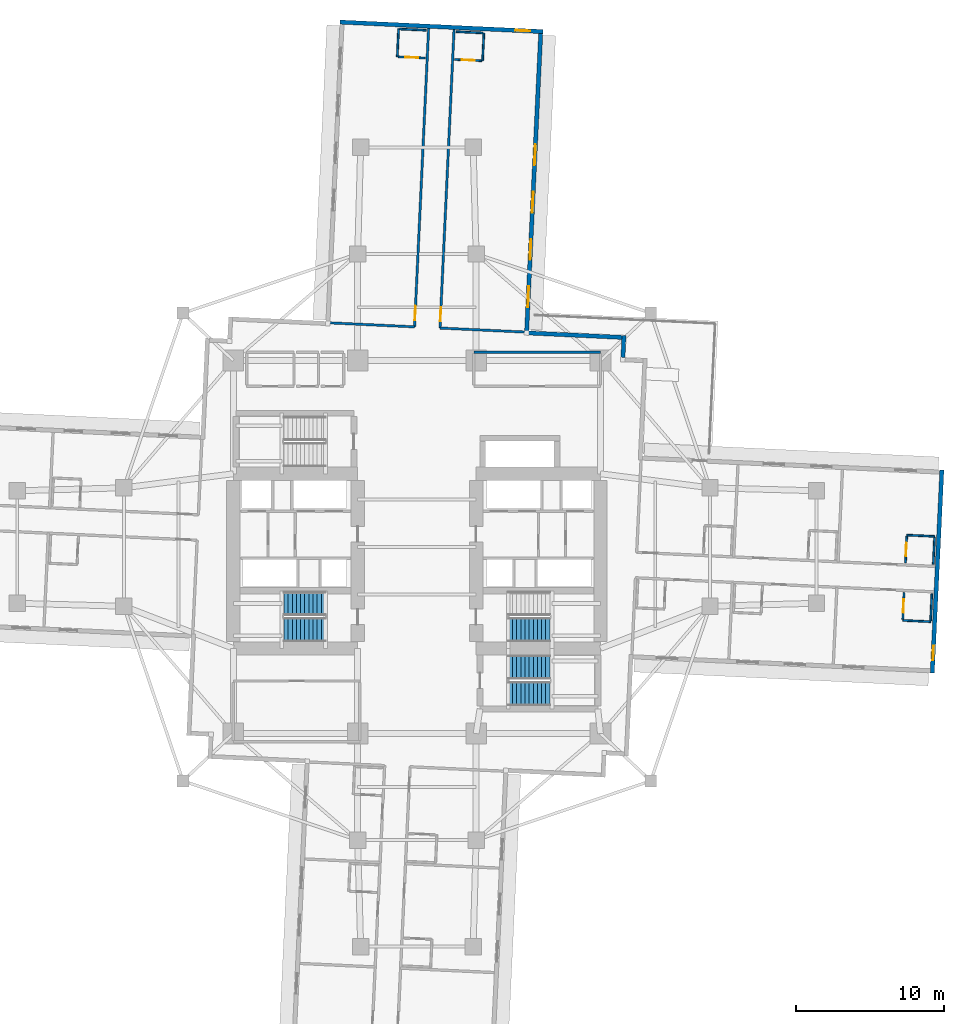
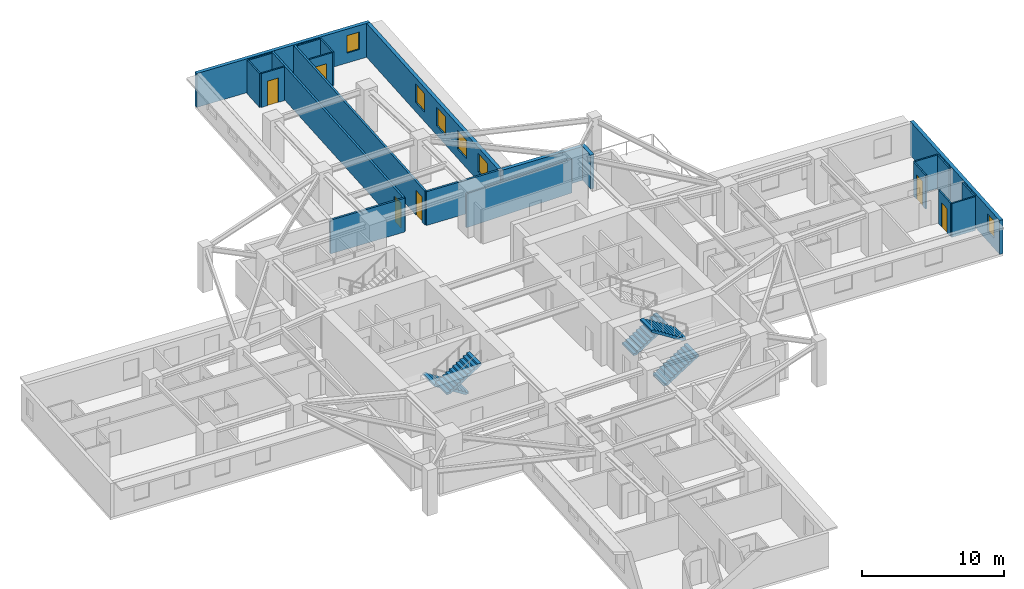
# One storey, part 8 of 14: 22 walls, 6 doors, 6 windows, 5 stair flights, 12 openings, 3 elements without a shape of their own.
"""IFC4 building model written with IfcOpenShell, lengths in metres."""

from ifc_helpers import new_model, si_unit, direction, frame, frame_2d, origin, place, context, subcontext, project, spatial, polyline, rectangle, outline, extrude, material, layer, layer_set, type_object, element, fill, aggregate, save


model = new_model("IFC4")

# Units and contexts
model_context = context("Model", 3, precision=1e-05, world=origin(), true_north=direction((0.0, 1.0)))
body_context = subcontext(model_context, "Body", "Model", "MODEL_VIEW")
ifc_project = project(units=[si_unit("LENGTHUNIT", "METRE"), si_unit("AREAUNIT", "SQUARE_METRE"), si_unit("VOLUMEUNIT", "CUBIC_METRE"), si_unit("PLANEANGLEUNIT", "RADIAN"), si_unit("MASSUNIT", "GRAM", prefix="KILO")], contexts=[model_context])

# Site, building, storey
site_placement = place(None, origin())
site = spatial("IfcSite", under=ifc_project, at=site_placement, CompositionType="ELEMENT")
building_placement = place(site_placement, origin())
building = spatial("IfcBuilding", under=site, at=building_placement, Name="Qingluan Cross Belvedere", CompositionType="ELEMENT")
storey_placement = place(building_placement, frame((0.0, 0.0, 75.60009765625)))
storey = spatial("IfcBuildingStorey", under=building, at=storey_placement, Name="L19", CompositionType="ELEMENT", Elevation=75.60009765625)

# Wall
ifc_material_1 = material(Name="Gypsum plasterboard on steel stud acoustic partition", Category="steel")
ifc_layer_1 = layer(ifc_material_1, 0.159912109375, Name="CorridorPartition_160")
ifc_layer_set_1 = layer_set([ifc_layer_1], Name="Gypsum plasterboard on steel stud acoustic partition")
wall_type_1 = type_object("IfcWallType", Name="CorridorPartition_160", PredefinedType="PARTITIONING", material=ifc_layer_set_1)
wall_1_placement = place(storey_placement, frame((3.85009765625, 13.14990234375, 0.0), z_axis=(0.0, 0.0, 1.0), x_axis=(1.0, 0.0, 0.0)))
element("IfcWall", 1, at=wall_1_placement, inside=storey, type_object=wall_type_1, Name="Partition L19:q_ne:N", PredefinedType="PARTITIONING", context=body_context, shape_type="SweptSolid", body=[
    extrude(rectangle(XDim=8.5498046875, YDim=0.159912109375, at=frame_2d((4.27490234375, 0.0))), origin(), (0.0, 0.0, 1.0), 2.89990234375),
])

# Wall, opening, door
wall_2_placement = place(storey_placement, frame((1.55859375, 14.79296875, 0.0), z_axis=(0.0, 0.0, 1.0), x_axis=(0.047105352469, 0.998889926753, 0.0)))
wall_2 = element("IfcWall", 2, at=wall_2_placement, inside=storey, type_object=wall_type_1, Name="Partition L19:N:c0", PredefinedType="PARTITIONING", context=body_context, shape_type="SweptSolid", body=[
    extrude(rectangle(XDim=20.18212890625, YDim=0.159912109375, at=frame_2d((10.091064453125, 0.0))), origin(), (0.0, 0.0, 1.0), 2.89990234375),
])
opening_1_placement = place(wall_2_placement, frame((0.449951171875, 0.0, 0.0)))
opening_1 = element("IfcOpeningElement", 3, at=opening_1_placement, cuts=wall_2, Name="Opening GD-10", PredefinedType="OPENING", context=body_context, shape_type="SweptSolid", body=[
    extrude(rectangle(XDim=0.9599609375, YDim=2.14990234375, at=frame_2d((0.47998046875, 1.074951171875))), frame((0.0, 0.08984375, 0.0), z_axis=(0.0, -1.0, 0.0), x_axis=(1.0, 0.0, 0.0)), (0.0, 0.0, 1.0), 0.179931640625),
])
ifc_material_2 = material(Name="Timber oak fire-rated acoustic guestroom door", Category="wood")
door_type_1 = type_object("IfcDoorType", Name="GuestEntryDoor_FD60", OperationType="NOTDEFINED", PredefinedType="DOOR", material=ifc_material_2)
door_1_placement = place(opening_1_placement, origin())
door_1 = element("IfcDoor", 4, at=door_1_placement, inside=storey, type_object=door_type_1, Name="Guest entry fire door 1911", OperationType="SINGLE_SWING_LEFT", OverallHeight=2.14990234375, OverallWidth=0.9599609375, PredefinedType="DOOR", context=body_context, shape_type="SweptSolid", body=[
    extrude(rectangle(XDim=0.9599609375, YDim=2.14990234375, at=frame_2d((0.47998046875, 1.074951171875))), frame((0.0, 0.02490234375, 0.0), z_axis=(0.0, -1.0, 0.0), x_axis=(1.0, 0.0, 0.0)), (0.0, 0.0, 1.0), 0.050048828125),
])
fill(opening_1, door_1)

# Wall
wall_3_placement = place(storey_placement, frame((1.55859375, 14.79296875, 0.0), z_axis=(0.0, 0.0, 1.0), x_axis=(0.998891206556, -0.047078205848, 0.0)))
element("IfcWall", 5, at=wall_3_placement, inside=storey, type_object=wall_type_1, Name="Partition L19:N:s0", PredefinedType="PARTITIONING", context=body_context, shape_type="SweptSolid", body=[
    extrude(rectangle(XDim=5.860107421875, YDim=0.159912109375, at=frame_2d((2.93017578125, 0.0))), origin(), (0.0, 0.0, 1.0), 2.89990234375),
])

# Wall, opening, door
wall_4_placement = place(storey_placement, frame((-0.159423828125, 14.8740234375, 0.0), z_axis=(0.0, 0.0, 1.0), x_axis=(0.047105352469, 0.998889926753, 0.0)))
wall_4 = element("IfcWall", 6, at=wall_4_placement, inside=storey, type_object=wall_type_1, Name="Partition L19:N:c1", PredefinedType="PARTITIONING", context=body_context, shape_type="SweptSolid", body=[
    extrude(rectangle(XDim=20.18212890625, YDim=0.159912109375, at=frame_2d((10.091064453125, 0.0))), origin(), (0.0, 0.0, 1.0), 2.89990234375),
])
opening_2_placement = place(wall_4_placement, frame((0.449951171875, 0.0, 0.0)))
opening_2 = element("IfcOpeningElement", 7, at=opening_2_placement, cuts=wall_4, Name="Opening GD-10", PredefinedType="OPENING", context=body_context, shape_type="SweptSolid", body=[
    extrude(rectangle(XDim=0.9599609375, YDim=2.14990234375, at=frame_2d((0.47998046875, 1.074951171875))), frame((0.0, 0.08984375, 0.0), z_axis=(0.0, -1.0, 0.0), x_axis=(1.0, 0.0, 0.0)), (0.0, 0.0, 1.0), 0.179931640625),
])
door_2_placement = place(opening_2_placement, origin())
door_2 = element("IfcDoor", 8, at=door_2_placement, inside=storey, type_object=door_type_1, Name="Guest entry fire door 1912", OperationType="SINGLE_SWING_LEFT", OverallHeight=2.14990234375, OverallWidth=0.9599609375, PredefinedType="DOOR", context=body_context, shape_type="SweptSolid", body=[
    extrude(rectangle(XDim=0.9599609375, YDim=2.14990234375, at=frame_2d((0.47998046875, 1.074951171875))), frame((0.0, 0.02490234375, 0.0), z_axis=(0.0, -1.0, 0.0), x_axis=(1.0, 0.0, 0.0)), (0.0, 0.0, 1.0), 0.050048828125),
])
fill(opening_2, door_2)

# Wall
wall_5_placement = place(storey_placement, frame((-0.159423828125, 14.8740234375, 0.0), z_axis=(0.0, 0.0, 1.0), x_axis=(-0.998889246491, 0.047119775516, 0.0)))
element("IfcWall", 9, at=wall_5_placement, inside=storey, type_object=wall_type_1, Name="Partition L19:N:s1", PredefinedType="PARTITIONING", context=body_context, shape_type="SweptSolid", body=[
    extrude(rectangle(XDim=5.860107421875, YDim=0.159912109375, at=frame_2d((2.93017578125, 0.0))), origin(), (0.0, 0.0, 1.0), 2.89990234375),
])

# Wall, opening, door
ifc_material_3 = material(Name="Moisture-resistant gypsum board lining")
ifc_layer_2 = layer(ifc_material_3, 0.1201171875, Name="EnsuiteWetPartition_120")
ifc_layer_set_2 = layer_set([ifc_layer_2], Name="Moisture-resistant gypsum board lining")
wall_type_2 = type_object("IfcWallType", Name="EnsuiteWetPartition_120", PredefinedType="PARTITIONING", material=ifc_layer_set_2)
wall_6_placement = place(storey_placement, frame((33.006103515625, -1.075927734375, 0.0), z_axis=(0.0, 0.0, 1.0), x_axis=(0.047087116047, 0.998890786574, 0.0)))
wall_6 = element("IfcWall", 10, at=wall_6_placement, inside=storey, type_object=wall_type_2, Name="Partition L19:E:bs0_2", PredefinedType="PARTITIONING", context=body_context, shape_type="SweptSolid", body=[
    extrude(rectangle(XDim=1.81982421875, YDim=0.1201171875, at=frame_2d((0.909912109375, 0.0))), origin(), (0.0, 0.0, 1.0), 2.89990234375),
])
opening_3_placement = place(wall_6_placement, frame((0.469970703125, 0.0, 0.0)))
opening_3 = element("IfcOpeningElement", 11, at=opening_3_placement, cuts=wall_6, Name="Opening BD-09", PredefinedType="OPENING", context=body_context, shape_type="SweptSolid", body=[
    extrude(rectangle(XDim=0.8798828125, YDim=2.10009765625, at=frame_2d((0.43994140625, 1.050048828125))), frame((0.0, 0.070068359375, 0.0), z_axis=(0.0, -1.0, 0.0), x_axis=(1.0, 0.0, 0.0)), (0.0, 0.0, 1.0), 0.14013671875),
])
ifc_material_4 = material(Name="Moisture-sealed timber en-suite door", Category="wood")
door_type_2 = type_object("IfcDoorType", Name="BathroomDoor_880", OperationType="NOTDEFINED", PredefinedType="DOOR", material=ifc_material_4)
door_3_placement = place(opening_3_placement, origin())
door_3 = element("IfcDoor", 12, at=door_3_placement, inside=storey, type_object=door_type_2, Name="Bathroom door 1903", OperationType="SINGLE_SWING_RIGHT", OverallHeight=2.10009765625, OverallWidth=0.8798828125, PredefinedType="DOOR", context=body_context, shape_type="SweptSolid", body=[
    extrude(rectangle(XDim=0.8798828125, YDim=2.10009765625, at=frame_2d((0.43994140625, 1.050048828125))), frame((0.0, 0.02490234375, 0.0), z_axis=(0.0, -1.0, 0.0), x_axis=(1.0, 0.0, 0.0)), (0.0, 0.0, 1.0), 0.050048828125),
])
fill(opening_3, door_3)

# Walls
wall_7_placement = place(storey_placement, frame((34.8837890625, -1.16455078125, 0.0), z_axis=(0.0, 0.0, 1.0), x_axis=(0.047087116047, 0.998890786574, 0.0)))
element("IfcWall", 13, at=wall_7_placement, inside=storey, type_object=wall_type_2, Name="Partition L19:E:bw0_2", PredefinedType="PARTITIONING", context=body_context, shape_type="SweptSolid", body=[
    extrude(rectangle(XDim=1.81982421875, YDim=0.1201171875, at=frame_2d((0.909912109375, 0.0))), origin(), (0.0, 0.0, 1.0), 2.89990234375),
])
wall_8_placement = place(storey_placement, frame((33.0947265625, 0.806884765625, 0.0), z_axis=(0.0, 0.0, 1.0), x_axis=(0.998894425757, -0.04700985207, 0.0)))
element("IfcWall", 14, at=wall_8_placement, inside=storey, type_object=wall_type_2, Name="Partition L19:E:bn0_2", PredefinedType="PARTITIONING", context=body_context, shape_type="SweptSolid", body=[
    extrude(rectangle(XDim=1.880126953125, YDim=0.1201171875, at=frame_2d((0.93994140625, 0.0))), origin(), (0.0, 0.0, 1.0), 2.89990234375),
])

# Wall, opening, door
wall_9_placement = place(storey_placement, frame((32.825927734375, -4.8916015625, 0.0), z_axis=(0.0, 0.0, 1.0), x_axis=(0.047087116047, 0.998890786574, 0.0)))
wall_9 = element("IfcWall", 15, at=wall_9_placement, inside=storey, type_object=wall_type_2, Name="Partition L19:E:bs1_2", PredefinedType="PARTITIONING", context=body_context, shape_type="SweptSolid", body=[
    extrude(rectangle(XDim=1.81982421875, YDim=0.1201171875, at=frame_2d((0.909912109375, 0.0))), origin(), (0.0, 0.0, 1.0), 2.89990234375),
])
opening_4_placement = place(wall_9_placement, frame((0.469970703125, 0.0, 0.0)))
opening_4 = element("IfcOpeningElement", 16, at=opening_4_placement, cuts=wall_9, Name="Opening BD-09", PredefinedType="OPENING", context=body_context, shape_type="SweptSolid", body=[
    extrude(rectangle(XDim=0.8798828125, YDim=2.10009765625, at=frame_2d((0.43994140625, 1.050048828125))), frame((0.0, 0.070068359375, 0.0), z_axis=(0.0, -1.0, 0.0), x_axis=(1.0, 0.0, 0.0)), (0.0, 0.0, 1.0), 0.14013671875),
])
door_4_placement = place(opening_4_placement, origin())
door_4 = element("IfcDoor", 17, at=door_4_placement, inside=storey, type_object=door_type_2, Name="Bathroom door 1906", OperationType="SINGLE_SWING_RIGHT", OverallHeight=2.10009765625, OverallWidth=0.8798828125, PredefinedType="DOOR", context=body_context, shape_type="SweptSolid", body=[
    extrude(rectangle(XDim=0.8798828125, YDim=2.10009765625, at=frame_2d((0.43994140625, 1.050048828125))), frame((0.0, 0.02490234375, 0.0), z_axis=(0.0, -1.0, 0.0), x_axis=(1.0, 0.0, 0.0)), (0.0, 0.0, 1.0), 0.050048828125),
])
fill(opening_4, door_4)

# Walls
wall_10_placement = place(storey_placement, frame((34.703857421875, -4.980224609375, 0.0), z_axis=(0.0, 0.0, 1.0), x_axis=(0.047220968666, 0.998884467853, 0.0)))
element("IfcWall", 18, at=wall_10_placement, inside=storey, type_object=wall_type_2, Name="Partition L19:E:bw1_2", PredefinedType="PARTITIONING", context=body_context, shape_type="SweptSolid", body=[
    extrude(rectangle(XDim=1.81982421875, YDim=0.1201171875, at=frame_2d((0.909912109375, 0.0))), origin(), (0.0, 0.0, 1.0), 2.89990234375),
])
wall_11_placement = place(storey_placement, frame((32.822998046875, -4.956787109375, 0.0), z_axis=(0.0, 0.0, 1.0), x_axis=(0.998894425757, -0.04700985207, 0.0)))
element("IfcWall", 19, at=wall_11_placement, inside=storey, type_object=wall_type_2, Name="Partition L19:E:bc1_2", PredefinedType="PARTITIONING", context=body_context, shape_type="SweptSolid", body=[
    extrude(rectangle(XDim=1.880126953125, YDim=0.1201171875, at=frame_2d((0.93994140625, 0.0))), origin(), (0.0, 0.0, 1.0), 2.89990234375),
])

# Wall, opening, door
wall_12_placement = place(storey_placement, frame((2.55419921875, 32.936279296875, 0.0), z_axis=(0.0, 0.0, 1.0), x_axis=(0.998891083954, -0.047080807099, 0.0)))
wall_12 = element("IfcWall", 20, at=wall_12_placement, inside=storey, type_object=wall_type_2, Name="Partition L19:N:bs0_0", PredefinedType="PARTITIONING", context=body_context, shape_type="SweptSolid", body=[
    extrude(rectangle(XDim=1.820068359375, YDim=0.1201171875, at=frame_2d((0.91015625, 0.0))), origin(), (0.0, 0.0, 1.0), 2.89990234375),
])
opening_5_placement = place(wall_12_placement, frame((0.469970703125, 0.0, 0.0)))
opening_5 = element("IfcOpeningElement", 21, at=opening_5_placement, cuts=wall_12, Name="Opening BD-09", PredefinedType="OPENING", context=body_context, shape_type="SweptSolid", body=[
    extrude(rectangle(XDim=0.8798828125, YDim=2.10009765625, at=frame_2d((0.43994140625, 1.050048828125))), frame((0.0, 0.070068359375, 0.0), z_axis=(0.0, -1.0, 0.0), x_axis=(1.0, 0.0, 0.0)), (0.0, 0.0, 1.0), 0.14013671875),
])
door_5_placement = place(opening_5_placement, origin())
door_5 = element("IfcDoor", 22, at=door_5_placement, inside=storey, type_object=door_type_2, Name="Bathroom door 1911", OperationType="SINGLE_SWING_RIGHT", OverallHeight=2.10009765625, OverallWidth=0.8798828125, PredefinedType="DOOR", context=body_context, shape_type="SweptSolid", body=[
    extrude(rectangle(XDim=0.8798828125, YDim=2.10009765625, at=frame_2d((0.43994140625, 1.050048828125))), frame((0.0, 0.02490234375, 0.0), z_axis=(0.0, -1.0, 0.0), x_axis=(1.0, 0.0, 0.0)), (0.0, 0.0, 1.0), 0.050048828125),
])
fill(opening_5, door_5)

# Walls
wall_13_placement = place(storey_placement, frame((2.642822265625, 34.814208984375, 0.0), z_axis=(0.0, 0.0, 1.0), x_axis=(0.998891083954, -0.047080807099, 0.0)))
element("IfcWall", 23, at=wall_13_placement, inside=storey, type_object=wall_type_2, Name="Partition L19:N:bw0_0", PredefinedType="PARTITIONING", context=body_context, shape_type="SweptSolid", body=[
    extrude(rectangle(XDim=1.820068359375, YDim=0.1201171875, at=frame_2d((0.91015625, 0.0))), origin(), (0.0, 0.0, 1.0), 2.89990234375),
])
wall_14_placement = place(storey_placement, frame((4.437255859375, 32.847412109375, 0.0), z_axis=(0.0, 0.0, 1.0), x_axis=(0.047139425368, 0.998888319371, 0.0)))
element("IfcWall", 24, at=wall_14_placement, inside=storey, type_object=wall_type_2, Name="Partition L19:N:bn0_0", PredefinedType="PARTITIONING", context=body_context, shape_type="SweptSolid", body=[
    extrude(rectangle(XDim=1.880126953125, YDim=0.1201171875, at=frame_2d((0.93994140625, 0.0))), origin(), (0.0, 0.0, 1.0), 2.89990234375),
])

# Wall, opening, door
wall_15_placement = place(storey_placement, frame((-1.261474609375, 33.1162109375, 0.0), z_axis=(0.0, 0.0, 1.0), x_axis=(0.998891083954, -0.047080807099, 0.0)))
wall_15 = element("IfcWall", 25, at=wall_15_placement, inside=storey, type_object=wall_type_2, Name="Partition L19:N:bs1_0", PredefinedType="PARTITIONING", context=body_context, shape_type="SweptSolid", body=[
    extrude(rectangle(XDim=1.820068359375, YDim=0.1201171875, at=frame_2d((0.91015625, 0.0))), origin(), (0.0, 0.0, 1.0), 2.89990234375),
])
opening_6_placement = place(wall_15_placement, frame((0.469970703125, 0.0, 0.0)))
opening_6 = element("IfcOpeningElement", 26, at=opening_6_placement, cuts=wall_15, Name="Opening BD-09", PredefinedType="OPENING", context=body_context, shape_type="SweptSolid", body=[
    extrude(rectangle(XDim=0.8798828125, YDim=2.10009765625, at=frame_2d((0.43994140625, 1.050048828125))), frame((0.0, 0.070068359375, 0.0), z_axis=(0.0, -1.0, 0.0), x_axis=(1.0, 0.0, 0.0)), (0.0, 0.0, 1.0), 0.14013671875),
])
door_6_placement = place(opening_6_placement, origin())
door_6 = element("IfcDoor", 27, at=door_6_placement, inside=storey, type_object=door_type_2, Name="Bathroom door 1912", OperationType="SINGLE_SWING_RIGHT", OverallHeight=2.10009765625, OverallWidth=0.8798828125, PredefinedType="DOOR", context=body_context, shape_type="SweptSolid", body=[
    extrude(rectangle(XDim=0.8798828125, YDim=2.10009765625, at=frame_2d((0.43994140625, 1.050048828125))), frame((0.0, 0.02490234375, 0.0), z_axis=(0.0, -1.0, 0.0), x_axis=(1.0, 0.0, 0.0)), (0.0, 0.0, 1.0), 0.050048828125),
])
fill(opening_6, door_6)

# Walls
wall_16_placement = place(storey_placement, frame((-1.1728515625, 34.994140625, 0.0), z_axis=(0.0, 0.0, 1.0), x_axis=(0.998890786574, -0.047087116047, 0.0)))
element("IfcWall", 28, at=wall_16_placement, inside=storey, type_object=wall_type_2, Name="Partition L19:N:bw1_0", PredefinedType="PARTITIONING", context=body_context, shape_type="SweptSolid", body=[
    extrude(rectangle(XDim=1.81982421875, YDim=0.1201171875, at=frame_2d((0.909912109375, 0.0))), origin(), (0.0, 0.0, 1.0), 2.89990234375),
])
wall_17_placement = place(storey_placement, frame((-1.326416015625, 33.119140625, 0.0), z_axis=(0.0, 0.0, 1.0), x_axis=(0.047133311408, 0.998888607882, 0.0)))
element("IfcWall", 29, at=wall_17_placement, inside=storey, type_object=wall_type_2, Name="Partition L19:N:bc1_0", PredefinedType="PARTITIONING", context=body_context, shape_type="SweptSolid", body=[
    extrude(rectangle(XDim=1.88037109375, YDim=0.1201171875, at=frame_2d((0.940185546875, 0.0))), origin(), (0.0, 0.0, 1.0), 2.89990234375),
])

# Wall, opening, window
ifc_material_5 = material(Name="Precast concrete C45", Category="concrete")
ifc_layer_3 = layer(ifc_material_5, 0.280029296875, Name="PrecastFacadeWall_280")
ifc_layer_set_3 = layer_set([ifc_layer_3], Name="Precast concrete C45")
wall_type_3 = type_object("IfcWallType", Name="PrecastFacadeWall_280", PredefinedType="STANDARD", material=ifc_layer_set_3)
wall_18_placement = place(storey_placement, frame((34.81787109375, -8.509521484375, 0.0), z_axis=(0.0, 0.0, 1.0), x_axis=(0.047101845086, 0.998890092147, 0.0)))
wall_18 = element("IfcWall", 30, at=wall_18_placement, inside=storey, type_object=wall_type_3, Name="Arm tip precast facade wall L19-E", PredefinedType="STANDARD", context=body_context, shape_type="SweptSolid", body=[
    extrude(rectangle(XDim=13.719970703125, YDim=0.280029296875, at=frame_2d((6.85986328125, 0.0))), origin(), (0.0, 0.0, 1.0), 2.909912109375),
])
opening_7_placement = place(wall_18_placement, frame((0.85009765625, 0.0, 0.85009765625)))
opening_7 = element("IfcOpeningElement", 31, at=opening_7_placement, cuts=wall_18, Name="Opening W-03", PredefinedType="OPENING", context=body_context, shape_type="SweptSolid", body=[
    extrude(rectangle(XDim=1.0, YDim=1.5, at=frame_2d((0.5, 0.75))), frame((0.0, 0.14990234375, 0.0), z_axis=(0.0, -1.0, 0.0), x_axis=(1.0, 0.0, 0.0)), (0.0, 0.0, 1.0), 0.300048828125),
])
ifc_material_6 = material(Name="Thermally broken triple Low-E glass in aluminium frame", Category="aluminium")
window_type_1 = type_object("IfcWindowType", Name="TriApexWin_1000x1500", PartitioningType="SINGLE_PANEL", PredefinedType="WINDOW", material=ifc_material_6)
window_1_placement = place(opening_7_placement, origin())
window_1 = element("IfcWindow", 32, at=window_1_placement, inside=storey, type_object=window_type_1, Name="Arm tip triangular window L19-E", OverallHeight=1.5, OverallWidth=1.0, PartitioningType="SINGLE_PANEL", PredefinedType="WINDOW", context=body_context, shape_type="SweptSolid", body=[
    extrude(rectangle(XDim=1.0, YDim=1.5, at=frame_2d((0.5, 0.75))), frame((0.0, 0.030029296875, 0.0), z_axis=(0.0, -1.0, 0.0), x_axis=(1.0, 0.0, 0.0)), (0.0, 0.0, 1.0), 0.06005859375),
])
fill(opening_7, window_1)

# Wall, openings, windows
wall_19_placement = place(storey_placement, frame((7.416259765625, 14.60693359375, 0.0), z_axis=(0.0, 0.0, 1.0), x_axis=(0.047103473814, 0.998890015344, 0.0)))
wall_19 = element("IfcWall", 33, at=wall_19_placement, inside=storey, type_object=wall_type_3, Name="Facade wall L19-NA", PredefinedType="STANDARD", context=body_context, shape_type="SweptSolid", body=[
    extrude(rectangle(XDim=20.099853515625, YDim=0.280029296875, at=frame_2d((10.0498046875, 0.0))), origin(), (0.0, 0.0, 1.0), 2.909912109375),
])
opening_8_placement = place(wall_19_placement, frame((1.60009765625, 0.0, 0.800048828125)))
opening_8 = element("IfcOpeningElement", 34, at=opening_8_placement, cuts=wall_19, Name="Opening W-01", PredefinedType="OPENING", context=body_context, shape_type="SweptSolid", body=[
    extrude(rectangle(XDim=1.39990234375, YDim=1.60009765625, at=frame_2d((0.699951171875, 0.800048828125))), frame((0.0, 0.14990234375, 0.0), z_axis=(0.0, -1.0, 0.0), x_axis=(1.0, 0.0, 0.0)), (0.0, 0.0, 1.0), 0.300048828125),
])
opening_9_placement = place(wall_19_placement, frame((4.800048828125, 0.0, 0.800048828125)))
opening_9 = element("IfcOpeningElement", 35, at=opening_9_placement, cuts=wall_19, Name="Opening W-01", PredefinedType="OPENING", context=body_context, shape_type="SweptSolid", body=[
    extrude(rectangle(XDim=1.39990234375, YDim=1.60009765625, at=frame_2d((0.699951171875, 0.800048828125))), frame((0.0, 0.14990234375, 0.0), z_axis=(0.0, -1.0, 0.0), x_axis=(1.0, 0.0, 0.0)), (0.0, 0.0, 1.0), 0.300048828125),
])
opening_10_placement = place(wall_19_placement, frame((8.0, 0.0, 0.800048828125)))
opening_10 = element("IfcOpeningElement", 36, at=opening_10_placement, cuts=wall_19, Name="Opening W-01", PredefinedType="OPENING", context=body_context, shape_type="SweptSolid", body=[
    extrude(rectangle(XDim=1.39990234375, YDim=1.60009765625, at=frame_2d((0.699951171875, 0.800048828125))), frame((0.0, 0.14990234375, 0.0), z_axis=(0.0, -1.0, 0.0), x_axis=(1.0, 0.0, 0.0)), (0.0, 0.0, 1.0), 0.300048828125),
])
opening_11_placement = place(wall_19_placement, frame((11.199951171875, 0.0, 0.800048828125)))
opening_11 = element("IfcOpeningElement", 37, at=opening_11_placement, cuts=wall_19, Name="Opening W-01", PredefinedType="OPENING", context=body_context, shape_type="SweptSolid", body=[
    extrude(rectangle(XDim=1.39990234375, YDim=1.60009765625, at=frame_2d((0.699951171875, 0.800048828125))), frame((0.0, 0.14990234375, 0.0), z_axis=(0.0, -1.0, 0.0), x_axis=(1.0, 0.0, 0.0)), (0.0, 0.0, 1.0), 0.300048828125),
])
ifc_material_7 = material(Name="Thermally broken triple Low-E glass in aluminium frame", Category="aluminium")
window_type_2 = type_object("IfcWindowType", Name="TriRibbonWin_1400x1600", PartitioningType="SINGLE_PANEL", PredefinedType="WINDOW", material=ifc_material_7)
window_2_placement = place(opening_8_placement, origin())
window_2 = element("IfcWindow", 38, at=window_2_placement, inside=storey, type_object=window_type_2, Name="Ribbon window L19-NA-1", OverallHeight=1.60009765625, OverallWidth=1.39990234375, PartitioningType="SINGLE_PANEL", PredefinedType="WINDOW", context=body_context, shape_type="SweptSolid", body=[
    extrude(rectangle(XDim=1.39990234375, YDim=1.60009765625, at=frame_2d((0.699951171875, 0.800048828125))), frame((0.0, 0.030029296875, 0.0), z_axis=(0.0, -1.0, 0.0), x_axis=(1.0, 0.0, 0.0)), (0.0, 0.0, 1.0), 0.06005859375),
])
fill(opening_8, window_2)
window_3_placement = place(opening_9_placement, origin())
window_3 = element("IfcWindow", 39, at=window_3_placement, inside=storey, type_object=window_type_2, Name="Ribbon window L19-NA-2", OverallHeight=1.60009765625, OverallWidth=1.39990234375, PartitioningType="SINGLE_PANEL", PredefinedType="WINDOW", context=body_context, shape_type="SweptSolid", body=[
    extrude(rectangle(XDim=1.39990234375, YDim=1.60009765625, at=frame_2d((0.699951171875, 0.800048828125))), frame((0.0, 0.030029296875, 0.0), z_axis=(0.0, -1.0, 0.0), x_axis=(1.0, 0.0, 0.0)), (0.0, 0.0, 1.0), 0.06005859375),
])
fill(opening_9, window_3)
window_4_placement = place(opening_10_placement, origin())
window_4 = element("IfcWindow", 40, at=window_4_placement, inside=storey, type_object=window_type_2, Name="Ribbon window L19-NA-3", OverallHeight=1.60009765625, OverallWidth=1.39990234375, PartitioningType="SINGLE_PANEL", PredefinedType="WINDOW", context=body_context, shape_type="SweptSolid", body=[
    extrude(rectangle(XDim=1.39990234375, YDim=1.60009765625, at=frame_2d((0.699951171875, 0.800048828125))), frame((0.0, 0.030029296875, 0.0), z_axis=(0.0, -1.0, 0.0), x_axis=(1.0, 0.0, 0.0)), (0.0, 0.0, 1.0), 0.06005859375),
])
fill(opening_10, window_4)
window_5_placement = place(opening_11_placement, origin())
window_5 = element("IfcWindow", 41, at=window_5_placement, inside=storey, type_object=window_type_2, Name="Ribbon window L19-NA-4", OverallHeight=1.60009765625, OverallWidth=1.39990234375, PartitioningType="SINGLE_PANEL", PredefinedType="WINDOW", context=body_context, shape_type="SweptSolid", body=[
    extrude(rectangle(XDim=1.39990234375, YDim=1.60009765625, at=frame_2d((0.699951171875, 0.800048828125))), frame((0.0, 0.030029296875, 0.0), z_axis=(0.0, -1.0, 0.0), x_axis=(1.0, 0.0, 0.0)), (0.0, 0.0, 1.0), 0.06005859375),
])
fill(opening_11, window_5)

# Wall, opening, window
wall_20_placement = place(storey_placement, frame((8.509521484375, 34.81787109375, 0.0), z_axis=(0.0, 0.0, 1.0), x_axis=(-0.998890092147, 0.047101845086, 0.0)))
wall_20 = element("IfcWall", 42, at=wall_20_placement, inside=storey, type_object=wall_type_3, Name="Arm tip precast facade wall L19-N", PredefinedType="STANDARD", context=body_context, shape_type="SweptSolid", body=[
    extrude(rectangle(XDim=13.719970703125, YDim=0.280029296875, at=frame_2d((6.85986328125, 0.0))), origin(), (0.0, 0.0, 1.0), 2.909912109375),
])
opening_12_placement = place(wall_20_placement, frame((0.85009765625, 0.0, 0.85009765625)))
opening_12 = element("IfcOpeningElement", 43, at=opening_12_placement, cuts=wall_20, Name="Opening W-03", PredefinedType="OPENING", context=body_context, shape_type="SweptSolid", body=[
    extrude(rectangle(XDim=1.0, YDim=1.5, at=frame_2d((0.5, 0.75))), frame((0.0, 0.14990234375, 0.0), z_axis=(0.0, -1.0, 0.0), x_axis=(1.0, 0.0, 0.0)), (0.0, 0.0, 1.0), 0.300048828125),
])
window_6_placement = place(opening_12_placement, origin())
window_6 = element("IfcWindow", 44, at=window_6_placement, inside=storey, type_object=window_type_1, Name="Arm tip triangular window L19-N", OverallHeight=1.5, OverallWidth=1.0, PartitioningType="SINGLE_PANEL", PredefinedType="WINDOW", context=body_context, shape_type="SweptSolid", body=[
    extrude(rectangle(XDim=1.0, YDim=1.5, at=frame_2d((0.5, 0.75))), frame((0.0, 0.030029296875, 0.0), z_axis=(0.0, -1.0, 0.0), x_axis=(1.0, 0.0, 0.0)), (0.0, 0.0, 1.0), 0.06005859375),
])
fill(opening_12, window_6)

# Walls
wall_21_placement = place(storey_placement, frame((13.918212890625, 12.798583984375, 0.0), z_axis=(0.0, 0.0, 1.0), x_axis=(0.047201688113, 0.99888537913, 0.0)))
element("IfcWall", 45, at=wall_21_placement, inside=storey, type_object=wall_type_3, Name="Corner wall L19-NE3", PredefinedType="STANDARD", context=body_context, shape_type="SweptSolid", body=[
    extrude(rectangle(XDim=1.5, YDim=0.280029296875, at=frame_2d((0.75, 0.0))), origin(), (0.0, 0.0, 1.0), 2.909912109375),
])
wall_22_placement = place(storey_placement, frame((13.842529296875, 14.16357421875, 0.0), z_axis=(0.0, 0.0, 1.0), x_axis=(-0.998889082162, 0.047123258997, 0.0)))
element("IfcWall", 46, at=wall_22_placement, inside=storey, type_object=wall_type_3, Name="Corner wall L19-NE4", PredefinedType="STANDARD", context=body_context, shape_type="SweptSolid", body=[
    extrude(rectangle(XDim=6.300048828125, YDim=0.280029296875, at=frame_2d((3.14990234375, 0.0))), origin(), (0.0, 0.0, 1.0), 2.909912109375),
])

# Stair, stair flights
ifc_material_8 = material(Name="Concrete C40", Category="concrete")
stair_type = type_object("IfcStairType", Name="CoreDoglegStair_1620", PredefinedType="HALF_TURN_STAIR", material=ifc_material_8)
stair_1_placement = place(storey_placement, origin())
stair_1 = element("IfcStair", 47, at=stair_1_placement, inside=storey, type_object=stair_type, Name="L19 ST1", PredefinedType="HALF_TURN_STAIR")
ifc_material_9 = material(Name="Concrete C40", Category="concrete")
ifc_layer_4 = layer(ifc_material_9, 0.179931640625, Name="StairFlight_RC180")
ifc_layer_set_4 = layer_set([ifc_layer_4], Name="Concrete C40")
stair_flight_type = type_object("IfcStairFlightType", Name="StairFlight_RC180", PredefinedType="STRAIGHT", material=ifc_layer_set_4)
stair_flight_1_placement = place(storey_placement, frame((-6.179931640625, -3.81005859375, 0.0), z_axis=(0.0, 0.0, 1.0), x_axis=(-1.0, 0.0, 0.0)))
stair_flight_1 = element("IfcStairFlight", 48, at=stair_flight_1_placement, type_object=stair_flight_type, Name="ST1 flight 1", NumberOfRisers=11, NumberOfTreads=10, PredefinedType="STRAIGHT", RiserHeight=0.177272727, TreadLength=0.28, context=body_context, shape_type="SweptSolid", body=[
    extrude(outline(polyline([(0.0, 0.0), (0.0, 0.17724609375), (0.280029296875, 0.17724609375), (0.280029296875, 0.3544921875), (0.56005859375, 0.3544921875), (0.56005859375, 0.53173828125), (0.840087890625, 0.53173828125), (0.840087890625, 0.708984375), (1.1201171875, 0.708984375), (1.1201171875, 0.886474609375), (1.39990234375, 0.886474609375), (1.39990234375, 1.063720703125), (1.679931640625, 1.063720703125), (1.679931640625, 1.240966796875), (1.9599609375, 1.240966796875), (1.9599609375, 1.418212890625), (2.239990234375, 1.418212890625), (2.239990234375, 1.595458984375), (2.52001953125, 1.595458984375), (2.52001953125, 1.772705078125), (2.800048828125, 1.772705078125), (2.800048828125, 1.949951171875), (2.800048828125, 1.59521484375), (0.2802734375, 0.0), (0.0, 0.0)])), frame((0.0, 0.81005859375, 0.0), z_axis=(0.0, -1.0, 0.0), x_axis=(1.0, 0.0, 0.0)), (0.0, 0.0, 1.0), 1.6201171875),
])
stair_flight_2_placement = place(storey_placement, frame((-8.97998046875, -5.590087890625, 1.949951171875), z_axis=(0.0, 0.0, 1.0), x_axis=(1.0, 0.0, 0.0)))
stair_flight_2 = element("IfcStairFlight", 49, at=stair_flight_2_placement, type_object=stair_flight_type, Name="ST1 flight 2", NumberOfRisers=11, NumberOfTreads=10, PredefinedType="STRAIGHT", RiserHeight=0.177272727, TreadLength=0.28, context=body_context, shape_type="SweptSolid", body=[
    extrude(outline(polyline([(0.0, 0.0), (0.0, 0.17724609375), (0.280029296875, 0.17724609375), (0.280029296875, 0.3544921875), (0.56005859375, 0.3544921875), (0.56005859375, 0.53173828125), (0.840087890625, 0.53173828125), (0.840087890625, 0.708984375), (1.1201171875, 0.708984375), (1.1201171875, 0.886474609375), (1.39990234375, 0.886474609375), (1.39990234375, 1.063720703125), (1.679931640625, 1.063720703125), (1.679931640625, 1.240966796875), (1.9599609375, 1.240966796875), (1.9599609375, 1.418212890625), (2.239990234375, 1.418212890625), (2.239990234375, 1.595458984375), (2.52001953125, 1.595458984375), (2.52001953125, 1.772705078125), (2.800048828125, 1.772705078125), (2.800048828125, 1.949951171875), (2.800048828125, 1.59521484375), (0.2802734375, 0.0), (0.0, 0.0)])), frame((0.0, 0.81005859375, 0.0), z_axis=(0.0, -1.0, 0.0), x_axis=(1.0, 0.0, 0.0)), (0.0, 0.0, 1.0), 1.6201171875),
])
aggregate(stair_1, [stair_flight_1, stair_flight_2])

# Stair, stair flight
stair_2_placement = place(storey_placement, origin())
stair_2 = element("IfcStair", 50, at=stair_2_placement, inside=storey, type_object=stair_type, Name="L19 ST2", PredefinedType="HALF_TURN_STAIR")
stair_flight_3_placement = place(storey_placement, frame((6.179931640625, -5.590087890625, 0.0), z_axis=(0.0, 0.0, 1.0), x_axis=(1.0, 0.0, 0.0)))
stair_flight_3 = element("IfcStairFlight", 51, at=stair_flight_3_placement, type_object=stair_flight_type, Name="ST2 flight 1", NumberOfRisers=11, NumberOfTreads=10, PredefinedType="STRAIGHT", RiserHeight=0.177272727, TreadLength=0.28, context=body_context, shape_type="SweptSolid", body=[
    extrude(outline(polyline([(0.0, 0.0), (0.0, 0.17724609375), (0.280029296875, 0.17724609375), (0.280029296875, 0.3544921875), (0.56005859375, 0.3544921875), (0.56005859375, 0.53173828125), (0.840087890625, 0.53173828125), (0.840087890625, 0.708984375), (1.1201171875, 0.708984375), (1.1201171875, 0.886474609375), (1.39990234375, 0.886474609375), (1.39990234375, 1.063720703125), (1.679931640625, 1.063720703125), (1.679931640625, 1.240966796875), (1.9599609375, 1.240966796875), (1.9599609375, 1.418212890625), (2.239990234375, 1.418212890625), (2.239990234375, 1.595458984375), (2.52001953125, 1.595458984375), (2.52001953125, 1.772705078125), (2.800048828125, 1.772705078125), (2.800048828125, 1.949951171875), (2.800048828125, 1.59521484375), (0.2802734375, 0.0), (0.0, 0.0)])), frame((0.0, 0.81005859375, 0.0), z_axis=(0.0, -1.0, 0.0), x_axis=(1.0, 0.0, 0.0)), (0.0, 0.0, 1.0), 1.6201171875),
])
aggregate(stair_2, [stair_flight_3])

# Stair, stair flights
stair_3_placement = place(storey_placement, origin())
stair_3 = element("IfcStair", 52, at=stair_3_placement, inside=storey, type_object=stair_type, Name="L19 ST4", PredefinedType="HALF_TURN_STAIR")
stair_flight_4_placement = place(storey_placement, frame((6.179931640625, -9.909912109375, 0.0), z_axis=(0.0, 0.0, 1.0), x_axis=(1.0, 0.0, 0.0)))
stair_flight_4 = element("IfcStairFlight", 53, at=stair_flight_4_placement, type_object=stair_flight_type, Name="ST4 flight 1", NumberOfRisers=11, NumberOfTreads=10, PredefinedType="STRAIGHT", RiserHeight=0.177272727, TreadLength=0.28, context=body_context, shape_type="SweptSolid", body=[
    extrude(outline(polyline([(0.0, 0.0), (0.0, 0.17724609375), (0.280029296875, 0.17724609375), (0.280029296875, 0.3544921875), (0.56005859375, 0.3544921875), (0.56005859375, 0.53173828125), (0.840087890625, 0.53173828125), (0.840087890625, 0.708984375), (1.1201171875, 0.708984375), (1.1201171875, 0.886474609375), (1.39990234375, 0.886474609375), (1.39990234375, 1.063720703125), (1.679931640625, 1.063720703125), (1.679931640625, 1.240966796875), (1.9599609375, 1.240966796875), (1.9599609375, 1.418212890625), (2.239990234375, 1.418212890625), (2.239990234375, 1.595458984375), (2.52001953125, 1.595458984375), (2.52001953125, 1.772705078125), (2.800048828125, 1.772705078125), (2.800048828125, 1.949951171875), (2.800048828125, 1.59521484375), (0.2802734375, 0.0), (0.0, 0.0)])), frame((0.0, 0.81005859375, 0.0), z_axis=(0.0, -1.0, 0.0), x_axis=(1.0, 0.0, 0.0)), (0.0, 0.0, 1.0), 1.6201171875),
])
stair_flight_5_placement = place(storey_placement, frame((8.97998046875, -8.1298828125, 1.949951171875), z_axis=(0.0, 0.0, 1.0), x_axis=(-1.0, 0.0, 0.0)))
stair_flight_5 = element("IfcStairFlight", 54, at=stair_flight_5_placement, type_object=stair_flight_type, Name="ST4 flight 2", NumberOfRisers=11, NumberOfTreads=10, PredefinedType="STRAIGHT", RiserHeight=0.177272727, TreadLength=0.28, context=body_context, shape_type="SweptSolid", body=[
    extrude(outline(polyline([(0.0, 0.0), (0.0, 0.17724609375), (0.280029296875, 0.17724609375), (0.280029296875, 0.3544921875), (0.56005859375, 0.3544921875), (0.56005859375, 0.53173828125), (0.840087890625, 0.53173828125), (0.840087890625, 0.708984375), (1.1201171875, 0.708984375), (1.1201171875, 0.886474609375), (1.39990234375, 0.886474609375), (1.39990234375, 1.063720703125), (1.679931640625, 1.063720703125), (1.679931640625, 1.240966796875), (1.9599609375, 1.240966796875), (1.9599609375, 1.418212890625), (2.239990234375, 1.418212890625), (2.239990234375, 1.595458984375), (2.52001953125, 1.595458984375), (2.52001953125, 1.772705078125), (2.800048828125, 1.772705078125), (2.800048828125, 1.949951171875), (2.800048828125, 1.59521484375), (0.2802734375, 0.0), (0.0, 0.0)])), frame((0.0, 0.81005859375, 0.0), z_axis=(0.0, -1.0, 0.0), x_axis=(1.0, 0.0, 0.0)), (0.0, 0.0, 1.0), 1.6201171875),
])
aggregate(stair_3, [stair_flight_4, stair_flight_5])

save(model, "model.ifc")
